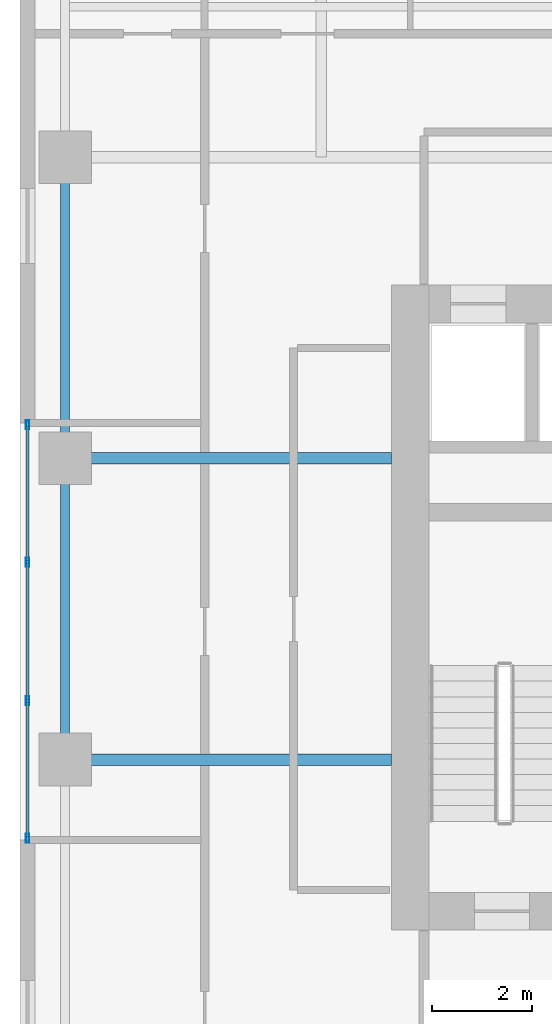
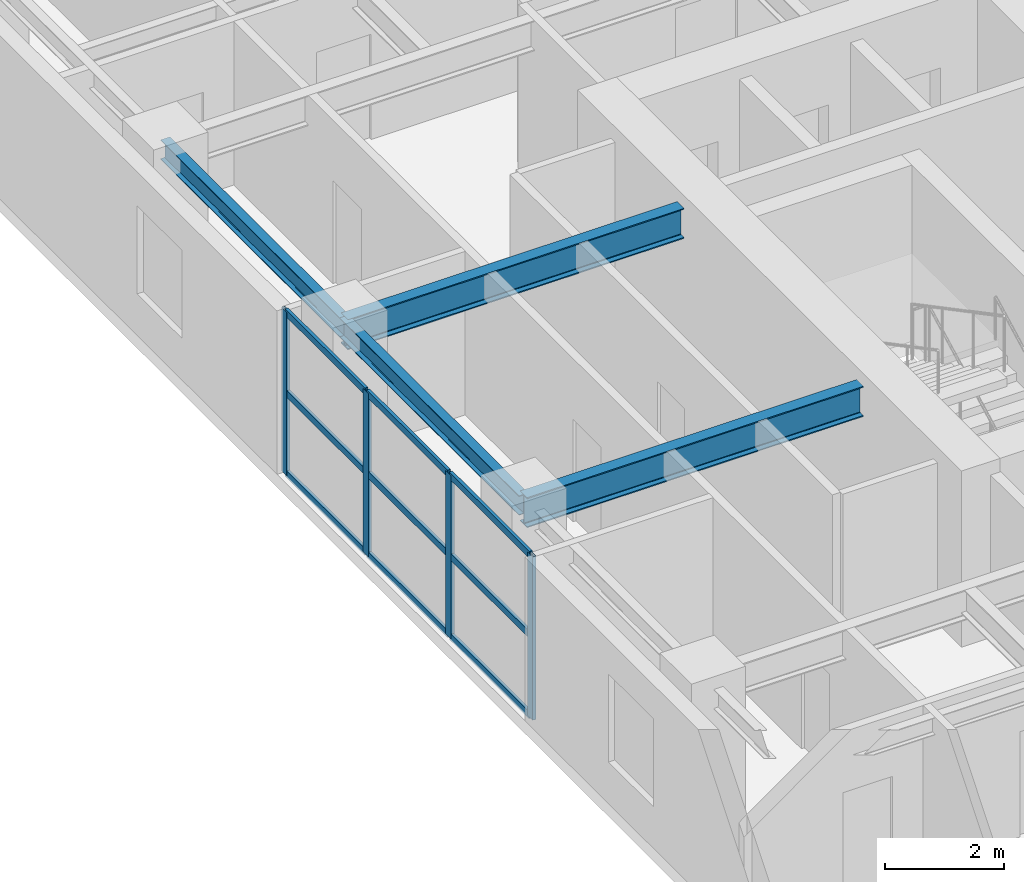
# One storey, part 2 of 15: 13 members, 4 beams, 1 element without a shape of its own.
"""IFC4 building model written with IfcOpenShell, lengths in metres."""

from ifc_helpers import new_model, si_unit, direction, frame, origin, origin_2d, place, context, subcontext, project, spatial, hollow_rectangle, i_section, extrude, source, transform, mapped, material, layer, layer_set, material_profile, profile_set, type_object, element, aggregate, save


model = new_model("IFC4")

# Units and contexts
model_context = context("Model", 3, precision=1e-05, world=origin(), true_north=direction((0.0, 1.0)))
body_context = subcontext(model_context, "Body", "Model", "MODEL_VIEW")
ifc_project = project(units=[si_unit("LENGTHUNIT", "METRE"), si_unit("AREAUNIT", "SQUARE_METRE"), si_unit("VOLUMEUNIT", "CUBIC_METRE"), si_unit("PLANEANGLEUNIT", "RADIAN"), si_unit("MASSUNIT", "GRAM", prefix="KILO")], contexts=[model_context])

# Site, building, storey
site_placement = place(None, origin())
site = spatial("IfcSite", under=ifc_project, at=site_placement, CompositionType="ELEMENT")
building_placement = place(site_placement, origin())
building = spatial("IfcBuilding", under=site, at=building_placement, Name="Khoralis Quay Care Tower", CompositionType="ELEMENT")
storey_placement = place(building_placement, frame((0.0, 0.0, 123.300048828125)))
storey = spatial("IfcBuildingStorey", under=building, at=storey_placement, Name="L32", CompositionType="ELEMENT", Elevation=123.300048828125)

# Beams
ifc_material_1 = material(Name="Steel S355", Category="steel")
ifc_material_profile_1 = material_profile(ifc_material_1, i_section(OverallWidth=0.179931640625, OverallDepth=0.39990234375, WebThickness=0.008544921875, FlangeThickness=0.013427734375, FilletRadius=0.02099609375, at=origin_2d()), Name="Steel S355")
ifc_profile_set_1 = profile_set([ifc_material_profile_1], Name="Steel S355")
beam_type_1 = type_object("IfcBeamType", Name="BM-IPE400", PredefinedType="SPANDREL", material=ifc_profile_set_1)
shared_shape_1 = source(origin(), body_context, "Body", "SweptSolid", [
    extrude(i_section(OverallWidth=0.179931640625, OverallDepth=0.39990234375, WebThickness=0.008544921875, FlangeThickness=0.013427734375, FilletRadius=0.02099609375, at=origin_2d()), origin(), (0.0, 0.0, 1.0), 6.0),
])
for number, where, z_axis, x_axis, name in (
    (1, (0.89990234375, 18.0, 3.139892578125), (0.0, 1.0, 0.0), (-1.0, 0.0, 0.0), "BM-TSP-L32-13"),
    (2, (0.89990234375, 24.0, 3.139892578125), (0.0, 1.0, 0.0), (-1.0, 0.0, 0.0), "BM-TSP-L32-14"),
):
    element("IfcBeam", number, at=place(storey_placement, frame(where, z_axis=z_axis, x_axis=x_axis)), inside=storey, type_object=beam_type_1, Name=name, PredefinedType="SPANDREL", context=body_context, shape_type="MappedRepresentation", body=[
        mapped(shared_shape_1, transform((0.0, 0.0, 0.0), scale=1.0)),
    ])
ifc_material_profile_2 = material_profile(ifc_material_1, i_section(OverallWidth=0.22998046875, OverallDepth=0.616943359375, WebThickness=0.01318359375, FlangeThickness=0.022216796875, FilletRadius=0.01806640625, at=origin_2d()), Name="Steel S355")
ifc_profile_set_2 = profile_set([ifc_material_profile_2], Name="Steel S355")
beam_type_2 = type_object("IfcBeamType", Name="BM-W610X140", PredefinedType="BEAM", material=ifc_profile_set_2)
shared_shape_2 = source(origin(), body_context, "Body", "SweptSolid", [
    extrude(i_section(OverallWidth=0.22998046875, OverallDepth=0.616943359375, WebThickness=0.01318359375, FlangeThickness=0.022216796875, FilletRadius=0.01806640625, at=origin_2d()), origin(), (0.0, 0.0, 1.0), 6.502197265625),
])
for number, where, z_axis, x_axis, name in (
    (3, (0.89990234375, 18.0, 3.031494140625), (1.0, 0.0, 0.0), (0.0, 1.0, 0.0), "BM-TGXW-L32-180"),
    (4, (0.89990234375, 24.0, 3.031494140625), (1.0, 0.0, 0.0), (0.0, 1.0, 0.0), "BM-TGXW-L32-240"),
):
    element("IfcBeam", number, at=place(storey_placement, frame(where, z_axis=z_axis, x_axis=x_axis)), inside=storey, type_object=beam_type_2, Name=name, PredefinedType="BEAM", context=body_context, shape_type="MappedRepresentation", body=[
        mapped(shared_shape_2, transform((0.0, 0.0, 0.0), scale=1.0)),
    ])

# Curtain wall, members
ifc_material_2 = material(Name="Pale anodised aluminium", Category="aluminium")
ifc_layer = layer(ifc_material_2, 0.169921875)
ifc_layer_set = layer_set([ifc_layer], Name="Pale anodised aluminium")
curtain_wall_type = type_object("IfcCurtainWallType", Name="CW-SYS-Z2", PredefinedType="NOTDEFINED", material=ifc_layer_set)
curtain_wall_placement = place(storey_placement, origin())
curtain_wall = element("IfcCurtainWall", 5, at=curtain_wall_placement, inside=storey, type_object=curtain_wall_type, Name="L32 Unitised Curtain Wall CW-L32-P1-E15", PredefinedType="NOTDEFINED")
ifc_material_profile_3 = material_profile(ifc_material_2, hollow_rectangle(XDim=0.06005859375, YDim=0.139892578125, WallThickness=0.00390625, at=origin_2d()), Name="Pale anodised aluminium")
ifc_profile_set_3 = profile_set([ifc_material_profile_3], Name="Pale anodised aluminium")
member_type_1 = type_object("IfcMemberType", Name="CW-TRN-140", PredefinedType="USERDEFINED", material=ifc_profile_set_3)
shared_shape_3 = source(origin(), body_context, "Body", "SweptSolid", [
    extrude(hollow_rectangle(XDim=0.06005859375, YDim=0.139892578125, WallThickness=0.00390625, at=origin_2d()), origin(), (0.0, 0.0, 1.0), 2.6767578125),
])
member_1_placement = place(storey_placement, frame((0.14990234375, 19.13671875, 0.030029296875), z_axis=(0.0, -1.0, 0.0), x_axis=(1.0, 0.0, 0.0)))
member_1 = element("IfcMember", 6, at=member_1_placement, type_object=member_type_1, Name="CW2 transom 3.1", ObjectType="TRANSOM", PredefinedType="USERDEFINED", context=body_context, shape_type="MappedRepresentation", body=[
    mapped(shared_shape_3, transform((0.0, 0.0, 0.0), scale=1.0)),
])
member_2_placement = place(storey_placement, frame((0.14990234375, 19.13671875, 1.669921875), z_axis=(0.0, -1.0, 0.0), x_axis=(1.0, 0.0, 0.0)))
member_2 = element("IfcMember", 7, at=member_2_placement, type_object=member_type_1, Name="CW2 transom 3.2", ObjectType="TRANSOM", PredefinedType="USERDEFINED", context=body_context, shape_type="MappedRepresentation", body=[
    mapped(shared_shape_3, transform((0.0, 0.0, 0.0), scale=1.0)),
])
member_3_placement = place(storey_placement, frame((0.14990234375, 19.13671875, 3.31005859375), z_axis=(0.0, -1.0, 0.0), x_axis=(1.0, 0.0, 0.0)))
member_3 = element("IfcMember", 8, at=member_3_placement, type_object=member_type_1, Name="CW2 transom 3.3", ObjectType="TRANSOM", PredefinedType="USERDEFINED", context=body_context, shape_type="MappedRepresentation", body=[
    mapped(shared_shape_3, transform((0.0, 0.0, 0.0), scale=1.0)),
])
shared_shape_4 = source(origin(), body_context, "Body", "SweptSolid", [
    extrude(hollow_rectangle(XDim=0.06005859375, YDim=0.139892578125, WallThickness=0.00390625, at=origin_2d()), origin(), (0.0, 0.0, 1.0), 2.70654296875),
])
member_4_placement = place(storey_placement, frame((0.14990234375, 21.9033203125, 0.030029296875), z_axis=(0.0, -1.0, 0.0), x_axis=(1.0, 0.0, 0.0)))
member_4 = element("IfcMember", 9, at=member_4_placement, type_object=member_type_1, Name="CW2 transom 2.1", ObjectType="TRANSOM", PredefinedType="USERDEFINED", context=body_context, shape_type="MappedRepresentation", body=[
    mapped(shared_shape_4, transform((0.0, 0.0, 0.0), scale=1.0)),
])
member_5_placement = place(storey_placement, frame((0.14990234375, 21.9033203125, 1.669921875), z_axis=(0.0, -1.0, 0.0), x_axis=(1.0, 0.0, 0.0)))
member_5 = element("IfcMember", 10, at=member_5_placement, type_object=member_type_1, Name="CW2 transom 2.2", ObjectType="TRANSOM", PredefinedType="USERDEFINED", context=body_context, shape_type="MappedRepresentation", body=[
    mapped(shared_shape_4, transform((0.0, 0.0, 0.0), scale=1.0)),
])
member_6_placement = place(storey_placement, frame((0.14990234375, 21.9033203125, 3.31005859375), z_axis=(0.0, -1.0, 0.0), x_axis=(1.0, 0.0, 0.0)))
member_6 = element("IfcMember", 11, at=member_6_placement, type_object=member_type_1, Name="CW2 transom 2.3", ObjectType="TRANSOM", PredefinedType="USERDEFINED", context=body_context, shape_type="MappedRepresentation", body=[
    mapped(shared_shape_4, transform((0.0, 0.0, 0.0), scale=1.0)),
])
shared_shape_5 = source(origin(), body_context, "Body", "SweptSolid", [
    extrude(hollow_rectangle(XDim=0.06005859375, YDim=0.139892578125, WallThickness=0.00390625, at=origin_2d()), origin(), (0.0, 0.0, 1.0), 2.676513671875),
])
member_7_placement = place(storey_placement, frame((0.14990234375, 24.639892578125, 0.030029296875), z_axis=(0.0, -1.0, 0.0), x_axis=(1.0, 0.0, 0.0)))
member_7 = element("IfcMember", 12, at=member_7_placement, type_object=member_type_1, Name="CW2 transom 1.1", ObjectType="TRANSOM", PredefinedType="USERDEFINED", context=body_context, shape_type="MappedRepresentation", body=[
    mapped(shared_shape_5, transform((0.0, 0.0, 0.0), scale=1.0)),
])
member_8_placement = place(storey_placement, frame((0.14990234375, 24.639892578125, 1.669921875), z_axis=(0.0, -1.0, 0.0), x_axis=(1.0, 0.0, 0.0)))
member_8 = element("IfcMember", 13, at=member_8_placement, type_object=member_type_1, Name="CW2 transom 1.2", ObjectType="TRANSOM", PredefinedType="USERDEFINED", context=body_context, shape_type="MappedRepresentation", body=[
    mapped(shared_shape_5, transform((0.0, 0.0, 0.0), scale=1.0)),
])
member_9_placement = place(storey_placement, frame((0.14990234375, 24.639892578125, 3.31005859375), z_axis=(0.0, -1.0, 0.0), x_axis=(1.0, 0.0, 0.0)))
member_9 = element("IfcMember", 14, at=member_9_placement, type_object=member_type_1, Name="CW2 transom 1.3", ObjectType="TRANSOM", PredefinedType="USERDEFINED", context=body_context, shape_type="MappedRepresentation", body=[
    mapped(shared_shape_5, transform((0.0, 0.0, 0.0), scale=1.0)),
])
ifc_material_profile_4 = material_profile(ifc_material_2, hollow_rectangle(XDim=0.06494140625, YDim=0.179931640625, WallThickness=0.00390625, at=origin_2d()), Name="Pale anodised aluminium")
ifc_profile_set_4 = profile_set([ifc_material_profile_4], Name="Pale anodised aluminium")
member_type_2 = type_object("IfcMemberType", Name="CW-MUL-180", PredefinedType="MULLION", material=ifc_profile_set_4)
shared_shape_6 = source(origin(), body_context, "Body", "SweptSolid", [
    extrude(hollow_rectangle(XDim=0.06494140625, YDim=0.179931640625, WallThickness=0.00390625, at=origin_2d()), origin(), (0.0, 0.0, 1.0), 3.33984375),
])
member_10_placement = place(storey_placement, frame((0.14990234375, 24.669921875, 0.0), z_axis=(0.0, 0.0, 1.0), x_axis=(1.0, 0.0, 0.0)))
member_10 = element("IfcMember", 15, at=member_10_placement, type_object=member_type_2, Name="CW2 mullion 1", PredefinedType="MULLION", context=body_context, shape_type="MappedRepresentation", body=[
    mapped(shared_shape_6, transform((0.0, 0.0, 0.0), scale=1.0)),
])
member_11_placement = place(storey_placement, frame((0.14990234375, 21.933349609375, 0.0), z_axis=(0.0, 0.0, 1.0), x_axis=(1.0, 0.0, 0.0)))
member_11 = element("IfcMember", 16, at=member_11_placement, type_object=member_type_2, Name="CW2 mullion 2", PredefinedType="MULLION", context=body_context, shape_type="MappedRepresentation", body=[
    mapped(shared_shape_6, transform((0.0, 0.0, 0.0), scale=1.0)),
])
member_12_placement = place(storey_placement, frame((0.14990234375, 19.166748046875, 0.0), z_axis=(0.0, 0.0, 1.0), x_axis=(1.0, 0.0, 0.0)))
member_12 = element("IfcMember", 17, at=member_12_placement, type_object=member_type_2, Name="CW2 mullion 3", PredefinedType="MULLION", context=body_context, shape_type="MappedRepresentation", body=[
    mapped(shared_shape_6, transform((0.0, 0.0, 0.0), scale=1.0)),
])
member_13_placement = place(storey_placement, frame((0.14990234375, 16.429931640625, 0.0), z_axis=(0.0, 0.0, 1.0), x_axis=(1.0, 0.0, 0.0)))
member_13 = element("IfcMember", 18, at=member_13_placement, type_object=member_type_2, Name="CW2 mullion 4", PredefinedType="MULLION", context=body_context, shape_type="MappedRepresentation", body=[
    mapped(shared_shape_6, transform((0.0, 0.0, 0.0), scale=1.0)),
])
aggregate(curtain_wall, [member_10, member_11, member_12, member_13, member_7, member_8, member_9, member_4, member_5, member_6, member_1, member_2, member_3])

save(model, "model.ifc")
